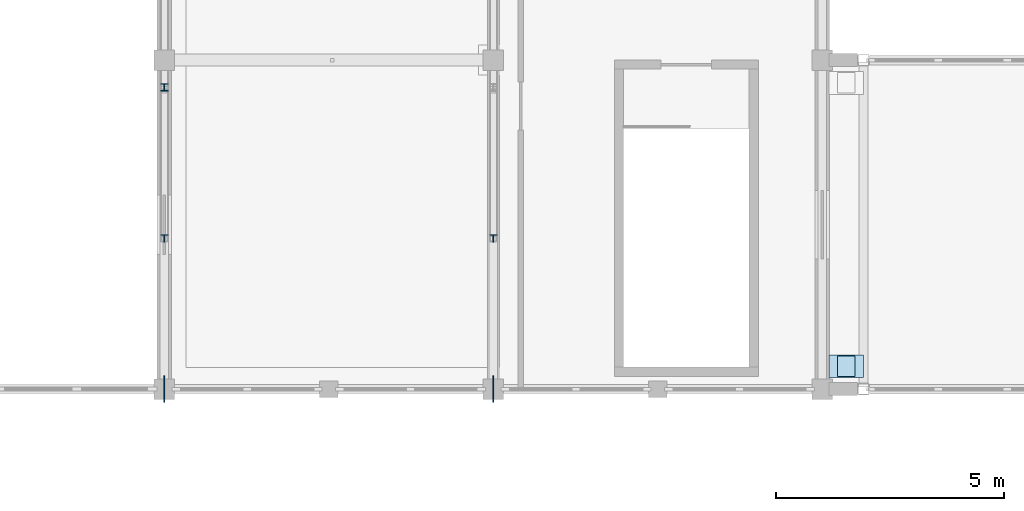
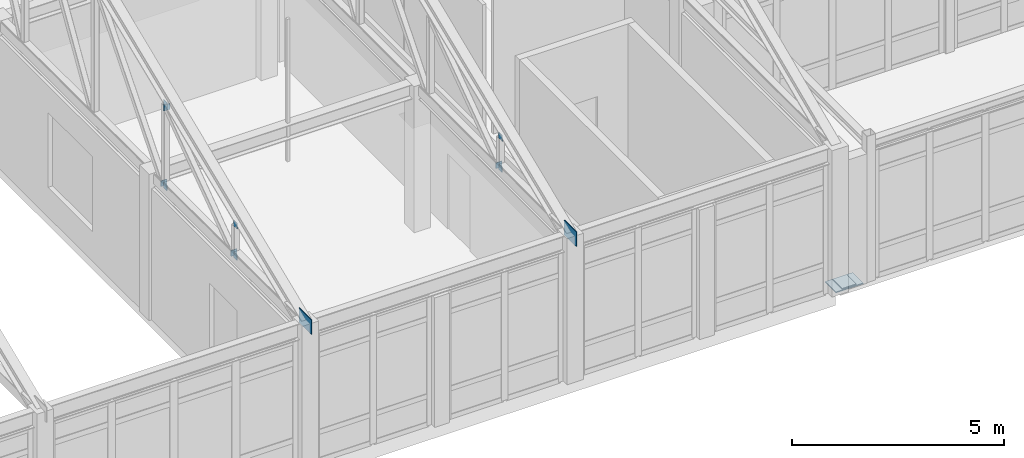
# One storey, part 102 of 136: 14 plates.
"""IFC4 building model written with IfcOpenShell, lengths in metres."""

from ifc_helpers import new_model, si_unit, direction, frame, origin, origin_2d, place, context, subcontext, project, spatial, rectangle, extrude, material, layer, layer_set, type_object, element, save


model = new_model("IFC4")

# Units and contexts
model_context = context("Model", 3, precision=1e-05, world=origin(), true_north=direction((0.0, 1.0)))
body_context = subcontext(model_context, "Body", "Model", "MODEL_VIEW")
ifc_project = project(units=[si_unit("LENGTHUNIT", "METRE"), si_unit("AREAUNIT", "SQUARE_METRE"), si_unit("VOLUMEUNIT", "CUBIC_METRE"), si_unit("PLANEANGLEUNIT", "RADIAN"), si_unit("MASSUNIT", "GRAM", prefix="KILO")], contexts=[model_context])

# Site, building, storey
site_placement = place(None, origin())
site = spatial("IfcSite", under=ifc_project, at=site_placement, CompositionType="ELEMENT")
building_placement = place(site_placement, origin())
building = spatial("IfcBuilding", under=site, at=building_placement, Name="Koriwan Promenade Central Fire Station", CompositionType="ELEMENT")
storey_placement = place(building_placement, frame((0.0, 0.0, 5.39990234375)))
storey = spatial("IfcBuildingStorey", under=building, at=storey_placement, Name="L01", CompositionType="ELEMENT", Elevation=5.39990234375)

# Plates
ifc_material = material(Name="Steel ASTM A572 Grade 50", Category="steel")
ifc_layer_1 = layer(ifc_material, 0.028076171875, Name="Steel ASTM A572 Grade 50")
ifc_layer_set_1 = layer_set([ifc_layer_1], Name="Steel ASTM A572 Grade 50")
plate_type_1 = type_object("IfcPlateType", Name="BearingCorbelSeat_750", PredefinedType="SHEET", material=ifc_layer_set_1)
plate_1_placement = place(storey_placement, frame((115.72509765625, 43.699951171875, -0.3017578125), z_axis=(0.0, 0.0, 1.0), x_axis=(1.0, 0.0, 0.0)))
element("IfcPlate", 1, at=plate_1_placement, inside=storey, type_object=plate_type_1, Name="East Transfer Link Bridge 750 mm bearing corbel seat 1", PredefinedType="SHEET", context=body_context, shape_type="SweptSolid", body=[
    extrude(rectangle(XDim=0.75, YDim=0.5, at=origin_2d()), origin(), (0.0, 0.0, 1.0), 0.028076171875),
])
ifc_layer_2 = layer(ifc_material, 0.02392578125, Name="Steel ASTM A572 Grade 50")
ifc_layer_set_2 = layer_set([ifc_layer_2], Name="Steel ASTM A572 Grade 50")
plate_type_2 = type_object("IfcPlateType", Name="BearingSeat_Bridge", PredefinedType="SHEET", material=ifc_layer_set_2)
plate_2_placement = place(storey_placement, frame((115.72509765625, 43.699951171875, -0.27392578125), z_axis=(0.0, 0.0, 1.0), x_axis=(1.0, 0.0, 0.0)))
element("IfcPlate", 2, at=plate_2_placement, inside=storey, type_object=plate_type_2, Name="East Transfer Link Bridge PTFE sliding bearing seat 1", PredefinedType="SHEET", context=body_context, shape_type="SweptSolid", body=[
    extrude(rectangle(XDim=0.3798828125, YDim=0.449951171875, at=origin_2d()), origin(), (0.0, 0.0, 1.0), 0.02392578125),
])
ifc_layer_3 = layer(ifc_material, 0.01611328125, Name="Steel ASTM A572 Grade 50")
ifc_layer_set_3 = layer_set([ifc_layer_3], Name="Steel ASTM A572 Grade 50")
plate_type_3 = type_object("IfcPlateType", Name="EndCap_HSS150", PredefinedType="SHEET", material=ifc_layer_set_3)
for number, where, z_axis, x_axis, name in (
    (3, (100.800048828125, 46.5, 3.9296875), (0.0, 0.0, 1.0), (1.0, 0.0, 0.0), "TR_V1_07 vertical 1 end cap 1"),
    (4, (100.800048828125, 46.5, 4.83251953125), (0.0, 0.0, 1.0), (1.0, 0.0, 0.0), "TR_V1_07 vertical 1 end cap 2"),
    (5, (100.800048828125, 49.800048828125, 3.9296875), (0.0, 0.0, 1.0), (1.0, 0.0, 0.0), "TR_V1_07 vertical 2 end cap 1"),
    (6, (100.800048828125, 49.800048828125, 6.299072265625), (0.0, 0.0, 1.0), (1.0, 0.0, 0.0), "TR_V1_07 vertical 2 end cap 2"),
    (7, (100.800048828125, 46.573486328125, 3.98291015625), (0.0, 0.0, 1.0), (0.0, 1.0, 0.0), "TR_V1_07 web diagonal 2 end cap 1"),
    (8, (100.800048828125, 49.7265625, 6.245849609375), (0.0, 0.0, 1.0), (0.0, 1.0, 0.0), "TR_V1_07 web diagonal 2 end cap 2"),
    (9, (100.800048828125, 49.874755859375, 3.9814453125), (0.0, 0.0, 1.0), (0.0, 1.0, 0.0), "TR_V1_07 web diagonal 3 end cap 1"),
    (10, (108.0, 46.5, 3.9296875), (0.0, 0.0, 1.0), (1.0, 0.0, 0.0), "TR_V1_08 vertical 1 end cap 1"),
    (11, (108.0, 46.5, 4.83251953125), (0.0, 0.0, 1.0), (1.0, 0.0, 0.0), "TR_V1_08 vertical 1 end cap 2"),
    (12, (108.0, 46.573486328125, 3.98291015625), (0.0, 0.0, 1.0), (0.0, 1.0, 0.0), "TR_V1_08 web diagonal 2 end cap 1"),
):
    element("IfcPlate", number, at=place(storey_placement, frame(where, z_axis=z_axis, x_axis=x_axis)), inside=storey, type_object=plate_type_3, Name=name, PredefinedType="SHEET", context=body_context, shape_type="SweptSolid", body=[
        extrude(rectangle(XDim=0.01611328125, YDim=0.1650390625, at=origin_2d()), origin(), (0.0, 0.0, 1.0), 0.1650390625),
    ])
ifc_layer_4 = layer(ifc_material, 0.419921875, Name="Steel ASTM A572 Grade 50")
ifc_layer_set_4 = layer_set([ifc_layer_4], Name="Steel ASTM A572 Grade 50")
plate_type_4 = type_object("IfcPlateType", Name="NodeGusset_Eave", PredefinedType="SHEET", material=ifc_layer_set_4)
for number, where, z_axis, x_axis, name in (
    (13, (100.800048828125, 43.199951171875, 3.93017578125), (0.0, 0.0, 1.0), (1.0, 0.0, 0.0), "TR_V1_07 eave node gusset TN-E1 (S)"),
    (14, (108.0, 43.199951171875, 3.93017578125), (0.0, 0.0, 1.0), (1.0, 0.0, 0.0), "TR_V1_08 eave node gusset TN-E1 (S)"),
):
    element("IfcPlate", number, at=place(storey_placement, frame(where, z_axis=z_axis, x_axis=x_axis)), inside=storey, type_object=plate_type_4, Name=name, PredefinedType="SHEET", context=body_context, shape_type="SweptSolid", body=[
        extrude(rectangle(XDim=0.02197265625, YDim=0.580078125, at=origin_2d()), origin(), (0.0, 0.0, 1.0), 0.419921875),
    ])

save(model, "model.ifc")
